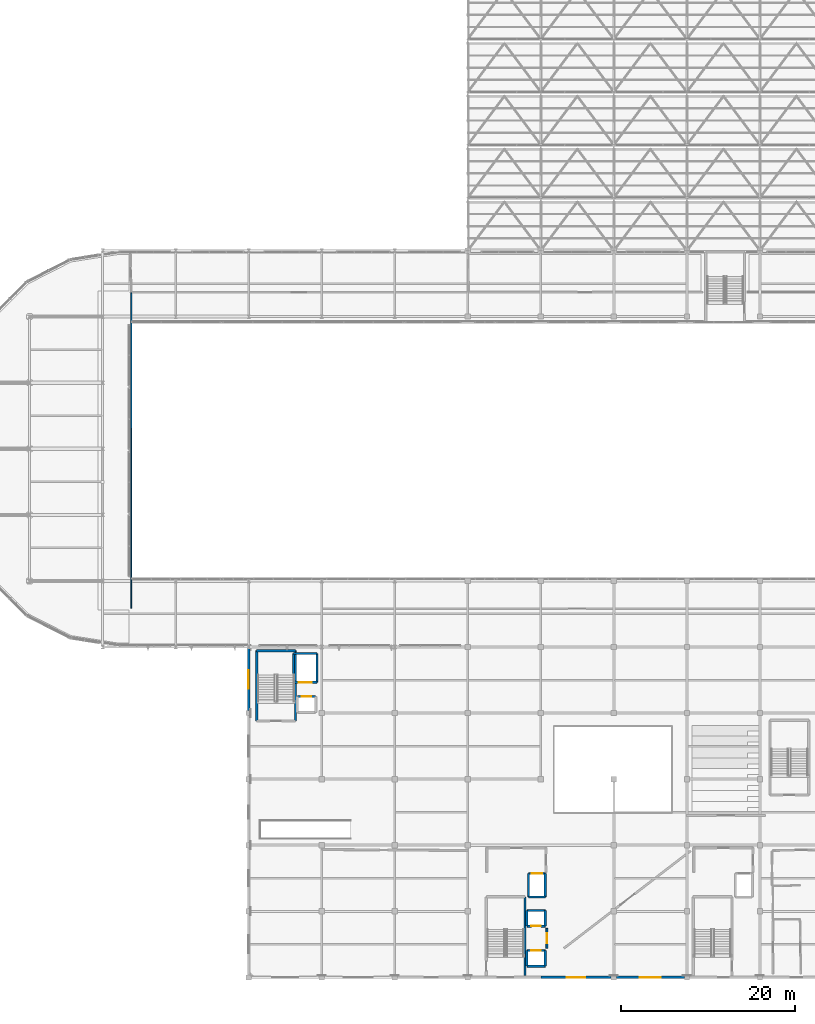
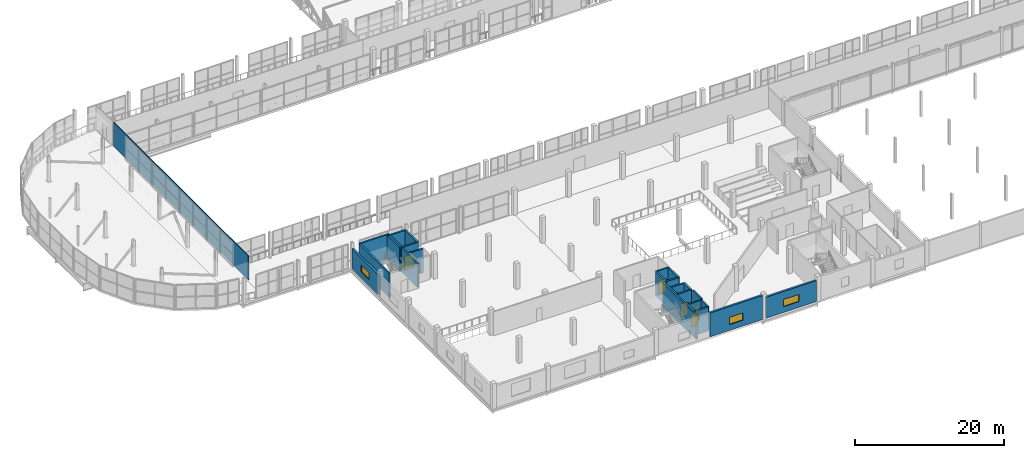
# One storey, part 193 of 217: 26 walls, 6 doors, 3 windows, 9 openings.
"""IFC4 building model written with IfcOpenShell, lengths in metres."""

from ifc_helpers import new_model, si_unit, direction, frame, frame_2d, origin, place, context, subcontext, project, spatial, rectangle, extrude, material, layer, layer_set, type_object, element, fill, save


model = new_model("IFC4")

# Units and contexts
model_context = context("Model", 3, precision=1e-05, world=origin(), true_north=direction((0.0, 1.0)))
body_context = subcontext(model_context, "Body", "Model", "MODEL_VIEW")
ifc_project = project(units=[si_unit("LENGTHUNIT", "METRE"), si_unit("AREAUNIT", "SQUARE_METRE"), si_unit("VOLUMEUNIT", "CUBIC_METRE"), si_unit("PLANEANGLEUNIT", "RADIAN"), si_unit("MASSUNIT", "GRAM", prefix="KILO")], contexts=[model_context])

# Site, building, storey
site_placement = place(None, origin())
site = spatial("IfcSite", under=ifc_project, at=site_placement, CompositionType="ELEMENT")
building_placement = place(site_placement, origin())
building = spatial("IfcBuilding", under=site, at=building_placement, Name="Zuvorla Pavilion Media Centre", CompositionType="ELEMENT")
storey_placement = place(building_placement, frame((0.0, 0.0, 9.60009765625)))
storey = spatial("IfcBuildingStorey", under=building, at=storey_placement, Name="L02", CompositionType="ELEMENT", Elevation=9.60009765625)

# Wall, opening, door
ifc_material_1 = material(Name="Acoustic masonry blockwork C32/40", Category="masonry")
ifc_layer_1 = layer(ifc_material_1, 0.219970703125)
ifc_layer_set_1 = layer_set([ifc_layer_1], Name="Acoustic masonry blockwork C32/40")
wall_type_1 = type_object("IfcWallType", Name="WL-CMP-220", PredefinedType="SOLIDWALL", material=ifc_layer_set_1)
wall_1_placement = place(storey_placement, frame((75.89990234375, 9.35009765625, 0.0), z_axis=(0.0, 0.0, 1.0), x_axis=(0.0, 1.0, 0.0)))
wall_1 = element("IfcWall", 1, at=wall_1_placement, inside=storey, type_object=wall_type_1, Name="L02 solid wall IW22 32", PredefinedType="SOLIDWALL", context=body_context, shape_type="SweptSolid", body=[
    extrude(rectangle(XDim=2.2998046875, YDim=0.219970703125, at=frame_2d((1.14990234375, 0.0))), origin(), (0.0, 0.0, 1.0), 3.929931640625),
])
opening_1_placement = place(wall_1_placement, frame((0.60009765625, 0.0, 0.0)))
opening_1 = element("IfcOpeningElement", 2, at=opening_1_placement, cuts=wall_1, Name="Opening FD05", PredefinedType="OPENING", context=body_context, shape_type="SweptSolid", body=[
    extrude(rectangle(XDim=1.10009765625, YDim=2.10009765625, at=frame_2d((0.550048828125, 1.050048828125))), frame((0.0, 0.119873046875, 0.0), z_axis=(0.0, -1.0, 0.0), x_axis=(1.0, 0.0, 0.0)), (0.0, 0.0, 1.0), 0.239990234375),
])
ifc_material_2 = material(Name="Acoustic timber fire door leaf in steel frame", Category="steel")
door_type_1 = type_object("IfcDoorType", Name="DR-INT-FD05", OperationType="NOTDEFINED", PredefinedType="DOOR", material=ifc_material_2)
door_1_placement = place(opening_1_placement, origin())
door_1 = element("IfcDoor", 3, at=door_1_placement, inside=storey, type_object=door_type_1, Name="Lift lobby 1 door FD05 16", OperationType="SINGLE_SWING_RIGHT", OverallHeight=2.10009765625, OverallWidth=1.10009765625, PredefinedType="DOOR", context=body_context, shape_type="SweptSolid", body=[
    extrude(rectangle(XDim=1.10009765625, YDim=2.10009765625, at=frame_2d((0.550048828125, 1.050048828125))), frame((0.0, 0.02490234375, 0.0), z_axis=(0.0, -1.0, 0.0), x_axis=(1.0, 0.0, 0.0)), (0.0, 0.0, 1.0), 0.050048828125),
])
fill(opening_1, door_1)

# Walls
ifc_material_3 = material(Name="Concrete C40/50", Category="concrete")
ifc_layer_2 = layer(ifc_material_3, 0.25)
ifc_layer_set_2 = layer_set([ifc_layer_2], Name="Concrete C40/50")
wall_type_2 = type_object("IfcWallType", Name="WL-COR-250", PredefinedType="SHEAR", material=ifc_layer_set_2)
wall_2_placement = place(storey_placement, frame((73.375, 6.22509765625, 0.0), z_axis=(0.0, 0.0, 1.0), x_axis=(0.0, 1.0, 0.0)))
element("IfcWall", 4, at=wall_2_placement, inside=storey, type_object=wall_type_2, Name="L02 shear wall CW25 27", PredefinedType="SHEAR", context=body_context, shape_type="SweptSolid", body=[
    extrude(rectangle(XDim=9.0498046875, YDim=0.25, at=frame_2d((4.52490234375, 0.0))), origin(), (0.0, 0.0, 1.0), 3.949951171875),
])
wall_3_placement = place(storey_placement, frame((73.590087890625, 7.2900390625, 0.0), z_axis=(0.0, 0.0, 1.0), x_axis=(1.0, 0.0, 0.0)))
element("IfcWall", 5, at=wall_3_placement, inside=storey, type_object=wall_type_2, Name="L02 shear wall CW25 73", PredefinedType="SHEAR", context=body_context, shape_type="SweptSolid", body=[
    extrude(rectangle(XDim=2.119873046875, YDim=0.25, at=frame_2d((1.06005859375, 0.0))), origin(), (0.0, 0.0, 1.0), 3.949951171875),
])

# Wall, opening, door
wall_4_placement = place(storey_placement, frame((73.590087890625, 9.110107421875, 0.0), z_axis=(0.0, 0.0, 1.0), x_axis=(1.0, 0.0, 0.0)))
wall_4 = element("IfcWall", 6, at=wall_4_placement, inside=storey, type_object=wall_type_2, Name="L02 shear wall CW25 74", PredefinedType="SHEAR", context=body_context, shape_type="SweptSolid", body=[
    extrude(rectangle(XDim=2.119873046875, YDim=0.25, at=frame_2d((1.06005859375, 0.0))), origin(), (0.0, 0.0, 1.0), 3.949951171875),
])
opening_2_placement = place(wall_4_placement, frame((0.510009765625, 0.0, 0.0)))
opening_2 = element("IfcOpeningElement", 7, at=opening_2_placement, cuts=wall_4, Name="Opening LD01", PredefinedType="OPENING", context=body_context, shape_type="SweptSolid", body=[
    extrude(rectangle(XDim=1.10009765625, YDim=2.14990234375, at=frame_2d((0.550048828125, 1.074951171875))), frame((0.0, 0.135009765625, 0.0), z_axis=(0.0, -1.0, 0.0), x_axis=(1.0, 0.0, 0.0)), (0.0, 0.0, 1.0), 0.27001953125),
])
ifc_material_4 = material(Name="Brushed stainless steel sliding lift landing door", Category="steel")
door_type_2 = type_object("IfcDoorType", Name="DR-LFT-LD01", OperationType="SLIDING_TO_LEFT", PredefinedType="DOOR", material=ifc_material_4)
door_2_placement = place(opening_2_placement, origin())
door_2 = element("IfcDoor", 8, at=door_2_placement, inside=storey, type_object=door_type_2, Name="Lift LF-01 landing door LD01 36", OperationType="SLIDING_TO_LEFT", OverallHeight=2.14990234375, OverallWidth=1.10009765625, PredefinedType="DOOR", context=body_context, shape_type="SweptSolid", body=[
    extrude(rectangle(XDim=1.10009765625, YDim=2.14990234375, at=frame_2d((0.550048828125, 1.074951171875))), frame((0.0, 0.02490234375, 0.0), z_axis=(0.0, -1.0, 0.0), x_axis=(1.0, 0.0, 0.0)), (0.0, 0.0, 1.0), 0.050048828125),
])
fill(opening_2, door_2)

# Walls
for number, where, z_axis, x_axis, name in (
    (9, (73.590087890625, 7.2900390625, 0.0), (0.0, 0.0, 1.0), (0.0, 1.0, 0.0), "L02 shear wall CW25 75"),
    (10, (75.7099609375, 7.2900390625, 0.0), (0.0, 0.0, 1.0), (0.0, 1.0, 0.0), "L02 shear wall CW25 76"),
):
    element("IfcWall", number, at=place(storey_placement, frame(where, z_axis=z_axis, x_axis=x_axis)), inside=storey, type_object=wall_type_2, Name=name, PredefinedType="SHEAR", context=body_context, shape_type="SweptSolid", body=[
        extrude(rectangle(XDim=1.820068359375, YDim=0.25, at=frame_2d((0.91015625, 0.0))), origin(), (0.0, 0.0, 1.0), 3.949951171875),
    ])

# Wall, opening, door
wall_5_placement = place(storey_placement, frame((73.590087890625, 11.889892578125, 0.0), z_axis=(0.0, 0.0, 1.0), x_axis=(1.0, 0.0, 0.0)))
wall_5 = element("IfcWall", 11, at=wall_5_placement, inside=storey, type_object=wall_type_2, Name="L02 shear wall CW25 105", PredefinedType="SHEAR", context=body_context, shape_type="SweptSolid", body=[
    extrude(rectangle(XDim=2.119873046875, YDim=0.25, at=frame_2d((1.06005859375, 0.0))), origin(), (0.0, 0.0, 1.0), 3.949951171875),
])
opening_3_placement = place(wall_5_placement, frame((0.510009765625, 0.0, 0.0)))
opening_3 = element("IfcOpeningElement", 12, at=opening_3_placement, cuts=wall_5, Name="Opening LD01", PredefinedType="OPENING", context=body_context, shape_type="SweptSolid", body=[
    extrude(rectangle(XDim=1.10009765625, YDim=2.14990234375, at=frame_2d((0.550048828125, 1.074951171875))), frame((0.0, 0.135009765625, 0.0), z_axis=(0.0, -1.0, 0.0), x_axis=(1.0, 0.0, 0.0)), (0.0, 0.0, 1.0), 0.27001953125),
])
door_3_placement = place(opening_3_placement, origin())
door_3 = element("IfcDoor", 13, at=door_3_placement, inside=storey, type_object=door_type_2, Name="Lift LF-02 landing door LD01 44", OperationType="SLIDING_TO_LEFT", OverallHeight=2.14990234375, OverallWidth=1.10009765625, PredefinedType="DOOR", context=body_context, shape_type="SweptSolid", body=[
    extrude(rectangle(XDim=1.10009765625, YDim=2.14990234375, at=frame_2d((0.550048828125, 1.074951171875))), frame((0.0, 0.02490234375, 0.0), z_axis=(0.0, -1.0, 0.0), x_axis=(1.0, 0.0, 0.0)), (0.0, 0.0, 1.0), 0.050048828125),
])
fill(opening_3, door_3)

# Walls
wall_6_placement = place(storey_placement, frame((73.590087890625, 13.7099609375, 0.0), z_axis=(0.0, 0.0, 1.0), x_axis=(1.0, 0.0, 0.0)))
element("IfcWall", 14, at=wall_6_placement, inside=storey, type_object=wall_type_2, Name="L02 shear wall CW25 106", PredefinedType="SHEAR", context=body_context, shape_type="SweptSolid", body=[
    extrude(rectangle(XDim=2.119873046875, YDim=0.25, at=frame_2d((1.06005859375, 0.0))), origin(), (0.0, 0.0, 1.0), 3.949951171875),
])
for number, where, z_axis, x_axis, name in (
    (15, (73.590087890625, 11.889892578125, 0.0), (0.0, 0.0, 1.0), (0.0, 1.0, 0.0), "L02 shear wall CW25 107"),
    (16, (75.7099609375, 11.889892578125, 0.0), (0.0, 0.0, 1.0), (0.0, 1.0, 0.0), "L02 shear wall CW25 108"),
):
    element("IfcWall", number, at=place(storey_placement, frame(where, z_axis=z_axis, x_axis=x_axis)), inside=storey, type_object=wall_type_2, Name=name, PredefinedType="SHEAR", context=body_context, shape_type="SweptSolid", body=[
        extrude(rectangle(XDim=1.820068359375, YDim=0.25, at=frame_2d((0.91015625, 0.0))), origin(), (0.0, 0.0, 1.0), 3.949951171875),
    ])
wall_7_placement = place(storey_placement, frame((73.7900390625, 15.239990234375, 0.0), z_axis=(0.0, 0.0, 1.0), x_axis=(1.0, 0.0, 0.0)))
element("IfcWall", 17, at=wall_7_placement, inside=storey, type_object=wall_type_2, Name="L02 shear wall CW25 137", PredefinedType="SHEAR", context=body_context, shape_type="SweptSolid", body=[
    extrude(rectangle(XDim=1.919921875, YDim=0.25, at=frame_2d((0.9599609375, 0.0))), origin(), (0.0, 0.0, 1.0), 3.949951171875),
])

# Wall, opening, door
wall_8_placement = place(storey_placement, frame((73.7900390625, 17.9599609375, 0.0), z_axis=(0.0, 0.0, 1.0), x_axis=(1.0, 0.0, 0.0)))
wall_8 = element("IfcWall", 18, at=wall_8_placement, inside=storey, type_object=wall_type_2, Name="L02 shear wall CW25 138", PredefinedType="SHEAR", context=body_context, shape_type="SweptSolid", body=[
    extrude(rectangle(XDim=1.919921875, YDim=0.25, at=frame_2d((0.9599609375, 0.0))), origin(), (0.0, 0.0, 1.0), 3.949951171875),
])
opening_4_placement = place(wall_8_placement, frame((0.360107421875, 0.0, 0.0)))
opening_4 = element("IfcOpeningElement", 19, at=opening_4_placement, cuts=wall_8, Name="Opening LD02", PredefinedType="OPENING", context=body_context, shape_type="SweptSolid", body=[
    extrude(rectangle(XDim=1.199951171875, YDim=2.199951171875, at=frame_2d((0.60009765625, 1.10009765625))), frame((0.0, 0.135009765625, 0.0), z_axis=(0.0, -1.0, 0.0), x_axis=(1.0, 0.0, 0.0)), (0.0, 0.0, 1.0), 0.27001953125),
])
door_type_3 = type_object("IfcDoorType", Name="DR-LFT-LD02", OperationType="SLIDING_TO_LEFT", PredefinedType="DOOR", material=ifc_material_4)
door_4_placement = place(opening_4_placement, origin())
door_4 = element("IfcDoor", 20, at=door_4_placement, inside=storey, type_object=door_type_3, Name="Lift LF-03 landing door LD02 52", OperationType="SLIDING_TO_LEFT", OverallHeight=2.199951171875, OverallWidth=1.199951171875, PredefinedType="DOOR", context=body_context, shape_type="SweptSolid", body=[
    extrude(rectangle(XDim=1.199951171875, YDim=2.199951171875, at=frame_2d((0.60009765625, 1.10009765625))), frame((0.0, 0.02490234375, 0.0), z_axis=(0.0, -1.0, 0.0), x_axis=(1.0, 0.0, 0.0)), (0.0, 0.0, 1.0), 0.050048828125),
])
fill(opening_4, door_4)

# Walls
for number, where, z_axis, x_axis, name in (
    (21, (73.7900390625, 15.239990234375, 0.0), (0.0, 0.0, 1.0), (0.0, 1.0, 0.0), "L02 shear wall CW25 139"),
    (22, (75.7099609375, 15.239990234375, 0.0), (0.0, 0.0, 1.0), (0.0, 1.0, 0.0), "L02 shear wall CW25 140"),
):
    element("IfcWall", number, at=place(storey_placement, frame(where, z_axis=z_axis, x_axis=x_axis)), inside=storey, type_object=wall_type_2, Name=name, PredefinedType="SHEAR", context=body_context, shape_type="SweptSolid", body=[
        extrude(rectangle(XDim=2.719970703125, YDim=0.25, at=frame_2d((1.35986328125, 0.0))), origin(), (0.0, 0.0, 1.0), 3.949951171875),
    ])
for number, where, z_axis, x_axis, name in (
    (23, (42.52490234375, 35.47509765625, 0.0), (0.0, 0.0, 1.0), (0.0, 1.0, 0.0), "L02 shear wall CW25 249"),
    (24, (46.97509765625, 35.47509765625, 0.0), (0.0, 0.0, 1.0), (0.0, 1.0, 0.0), "L02 shear wall CW25 250"),
):
    element("IfcWall", number, at=place(storey_placement, frame(where, z_axis=z_axis, x_axis=x_axis)), inside=storey, type_object=wall_type_2, Name=name, PredefinedType="SHEAR", context=body_context, shape_type="SweptSolid", body=[
        extrude(rectangle(XDim=8.099853515625, YDim=0.25, at=frame_2d((4.0498046875, 0.0))), origin(), (0.0, 0.0, 1.0), 3.949951171875),
    ])
wall_9_placement = place(storey_placement, frame((42.52490234375, 43.574951171875, 0.0), z_axis=(0.0, 0.0, 1.0), x_axis=(1.0, 0.0, 0.0)))
element("IfcWall", 25, at=wall_9_placement, inside=storey, type_object=wall_type_2, Name="L02 shear wall CW25 251", PredefinedType="SHEAR", context=body_context, shape_type="SweptSolid", body=[
    extrude(rectangle(XDim=4.4501953125, YDim=0.25, at=frame_2d((2.22509765625, 0.0))), origin(), (0.0, 0.0, 1.0), 3.949951171875),
])

# Wall, opening, door
wall_10_placement = place(storey_placement, frame((47.18994140625, 38.31005859375, 0.0), z_axis=(0.0, 0.0, 1.0), x_axis=(1.0, 0.0, 0.0)))
wall_10 = element("IfcWall", 26, at=wall_10_placement, inside=storey, type_object=wall_type_2, Name="L02 shear wall CW25 274", PredefinedType="SHEAR", context=body_context, shape_type="SweptSolid", body=[
    extrude(rectangle(XDim=2.1201171875, YDim=0.25, at=frame_2d((1.06005859375, 0.0))), origin(), (0.0, 0.0, 1.0), 3.949951171875),
])
opening_5_placement = place(wall_10_placement, frame((0.510009765625, 0.0, 0.0)))
opening_5 = element("IfcOpeningElement", 27, at=opening_5_placement, cuts=wall_10, Name="Opening LD01", PredefinedType="OPENING", context=body_context, shape_type="SweptSolid", body=[
    extrude(rectangle(XDim=1.10009765625, YDim=2.14990234375, at=frame_2d((0.550048828125, 1.074951171875))), frame((0.0, 0.135009765625, 0.0), z_axis=(0.0, -1.0, 0.0), x_axis=(1.0, 0.0, 0.0)), (0.0, 0.0, 1.0), 0.27001953125),
])
door_5_placement = place(opening_5_placement, origin())
door_5 = element("IfcDoor", 28, at=door_5_placement, inside=storey, type_object=door_type_2, Name="Lift LF-05 landing door LD01 98", OperationType="SLIDING_TO_LEFT", OverallHeight=2.14990234375, OverallWidth=1.10009765625, PredefinedType="DOOR", context=body_context, shape_type="SweptSolid", body=[
    extrude(rectangle(XDim=1.10009765625, YDim=2.14990234375, at=frame_2d((0.550048828125, 1.074951171875))), frame((0.0, 0.02490234375, 0.0), z_axis=(0.0, -1.0, 0.0), x_axis=(1.0, 0.0, 0.0)), (0.0, 0.0, 1.0), 0.050048828125),
])
fill(opening_5, door_5)

wall_11_placement = place(storey_placement, frame((46.739990234375, 39.93994140625, 0.0), z_axis=(0.0, 0.0, 1.0), x_axis=(1.0, 0.0, 0.0)))
wall_11 = element("IfcWall", 29, at=wall_11_placement, inside=storey, type_object=wall_type_2, Name="L02 shear wall CW25 293", PredefinedType="SHEAR", context=body_context, shape_type="SweptSolid", body=[
    extrude(rectangle(XDim=2.719970703125, YDim=0.25, at=frame_2d((1.35986328125, 0.0))), origin(), (0.0, 0.0, 1.0), 3.949951171875),
])
opening_6_placement = place(wall_11_placement, frame((0.610107421875, 0.0, 0.0)))
opening_6 = element("IfcOpeningElement", 30, at=opening_6_placement, cuts=wall_11, Name="Opening LD03", PredefinedType="OPENING", context=body_context, shape_type="SweptSolid", body=[
    extrude(rectangle(XDim=1.5, YDim=2.300048828125, at=frame_2d((0.75, 1.14990234375))), frame((0.0, 0.135009765625, 0.0), z_axis=(0.0, -1.0, 0.0), x_axis=(1.0, 0.0, 0.0)), (0.0, 0.0, 1.0), 0.27001953125),
])
door_type_4 = type_object("IfcDoorType", Name="DR-LFT-LD03", OperationType="SLIDING_TO_LEFT", PredefinedType="DOOR", material=ifc_material_4)
door_6_placement = place(opening_6_placement, origin())
door_6 = element("IfcDoor", 31, at=door_6_placement, inside=storey, type_object=door_type_4, Name="Lift LF-06 landing door LD03 103", OperationType="SLIDING_TO_LEFT", OverallHeight=2.300048828125, OverallWidth=1.5, PredefinedType="DOOR", context=body_context, shape_type="SweptSolid", body=[
    extrude(rectangle(XDim=1.5, YDim=2.300048828125, at=frame_2d((0.75, 1.14990234375))), frame((0.0, 0.02490234375, 0.0), z_axis=(0.0, -1.0, 0.0), x_axis=(1.0, 0.0, 0.0)), (0.0, 0.0, 1.0), 0.050048828125),
])
fill(opening_6, door_6)

# Walls
wall_12_placement = place(storey_placement, frame((46.739990234375, 43.260009765625, 0.0), z_axis=(0.0, 0.0, 1.0), x_axis=(1.0, 0.0, 0.0)))
element("IfcWall", 32, at=wall_12_placement, inside=storey, type_object=wall_type_2, Name="L02 shear wall CW25 294", PredefinedType="SHEAR", context=body_context, shape_type="SweptSolid", body=[
    extrude(rectangle(XDim=2.719970703125, YDim=0.25, at=frame_2d((1.35986328125, 0.0))), origin(), (0.0, 0.0, 1.0), 3.949951171875),
])
for number, where, z_axis, x_axis, name in (
    (33, (46.739990234375, 39.93994140625, 0.0), (0.0, 0.0, 1.0), (0.0, 1.0, 0.0), "L02 shear wall CW25 295"),
    (34, (49.4599609375, 39.93994140625, 0.0), (0.0, 0.0, 1.0), (0.0, 1.0, 0.0), "L02 shear wall CW25 296"),
):
    element("IfcWall", number, at=place(storey_placement, frame(where, z_axis=z_axis, x_axis=x_axis)), inside=storey, type_object=wall_type_2, Name=name, PredefinedType="SHEAR", context=body_context, shape_type="SweptSolid", body=[
        extrude(rectangle(XDim=3.320068359375, YDim=0.25, at=frame_2d((1.66015625, 0.0))), origin(), (0.0, 0.0, 1.0), 3.949951171875),
    ])

# Wall, opening, window
ifc_material_5 = material(Name="White rendered concrete C32/40", Category="concrete")
ifc_layer_3 = layer(ifc_material_5, 0.300048828125)
ifc_layer_set_3 = layer_set([ifc_layer_3], Name="White rendered concrete C32/40")
wall_type_3 = type_object("IfcWallType", Name="WL-EXT-300", PredefinedType="SOLIDWALL", material=ifc_layer_set_3)
wall_13_placement = place(storey_placement, frame((41.60009765625, 43.81591796875, 0.0), z_axis=(0.0, 0.0, 1.0), x_axis=(0.0, -1.0, 0.0)))
wall_13 = element("IfcWall", 35, at=wall_13_placement, inside=storey, type_object=wall_type_3, Name="L02 exterior solid wall EW03 202", PredefinedType="SOLIDWALL", context=body_context, shape_type="SweptSolid", body=[
    extrude(rectangle(XDim=7.115966796875, YDim=0.300048828125, at=frame_2d((3.55810546875, 0.0))), origin(), (0.0, 0.0, 1.0), 3.3046875),
])
opening_7_placement = place(wall_13_placement, frame((2.5078125, 0.0, 0.949951171875)))
opening_7 = element("IfcOpeningElement", 36, at=opening_7_placement, cuts=wall_13, Name="Opening WN27", PredefinedType="OPENING", context=body_context, shape_type="SweptSolid", body=[
    extrude(rectangle(XDim=2.10009765625, YDim=1.199951171875, at=frame_2d((1.050048828125, 0.60009765625))), frame((0.0, 0.159912109375, 0.0), z_axis=(0.0, -1.0, 0.0), x_axis=(1.0, 0.0, 0.0)), (0.0, 0.0, 1.0), 0.320068359375),
])
ifc_material_6 = material(Name="Anodised aluminium frame with solar double glazing", Category="aluminium")
window_type_1 = type_object("IfcWindowType", Name="WIN-WN27", PartitioningType="DOUBLE_PANEL_VERTICAL", PredefinedType="WINDOW", material=ifc_material_6)
window_1_placement = place(opening_7_placement, origin())
window_1 = element("IfcWindow", 37, at=window_1_placement, inside=storey, type_object=window_type_1, Name="L02 window WN27 74", OverallHeight=1.199951171875, OverallWidth=2.10009765625, PartitioningType="DOUBLE_PANEL_VERTICAL", PredefinedType="WINDOW", context=body_context, shape_type="SweptSolid", body=[
    extrude(rectangle(XDim=2.10009765625, YDim=1.199951171875, at=frame_2d((1.050048828125, 0.60009765625))), frame((0.0, 0.030029296875, 0.0), z_axis=(0.0, -1.0, 0.0), x_axis=(1.0, 0.0, 0.0)), (0.0, 0.0, 1.0), 0.06005859375),
])
fill(opening_7, window_1)

wall_14_placement = place(storey_placement, frame((75.199951171875, 6.0, 0.0), z_axis=(0.0, 0.0, 1.0), x_axis=(1.0, 0.0, 0.0)))
wall_14 = element("IfcWall", 38, at=wall_14_placement, inside=storey, type_object=wall_type_3, Name="L02 exterior solid wall EW03 211", PredefinedType="SOLIDWALL", context=body_context, shape_type="SweptSolid", body=[
    extrude(rectangle(XDim=8.10009765625, YDim=0.300048828125, at=frame_2d((4.050048828125, 0.0))), origin(), (0.0, 0.0, 1.0), 3.929931640625),
])
opening_8_placement = place(wall_14_placement, frame((3.0, 0.0, 0.949951171875)))
opening_8 = element("IfcOpeningElement", 39, at=opening_8_placement, cuts=wall_14, Name="Opening WN27", PredefinedType="OPENING", context=body_context, shape_type="SweptSolid", body=[
    extrude(rectangle(XDim=2.10009765625, YDim=1.199951171875, at=frame_2d((1.050048828125, 0.60009765625))), frame((0.0, 0.159912109375, 0.0), z_axis=(0.0, -1.0, 0.0), x_axis=(1.0, 0.0, 0.0)), (0.0, 0.0, 1.0), 0.320068359375),
])
window_2_placement = place(opening_8_placement, origin())
window_2 = element("IfcWindow", 40, at=window_2_placement, inside=storey, type_object=window_type_1, Name="L02 window WN27 83", OverallHeight=1.199951171875, OverallWidth=2.10009765625, PartitioningType="DOUBLE_PANEL_VERTICAL", PredefinedType="WINDOW", context=body_context, shape_type="SweptSolid", body=[
    extrude(rectangle(XDim=2.10009765625, YDim=1.199951171875, at=frame_2d((1.050048828125, 0.60009765625))), frame((0.0, 0.030029296875, 0.0), z_axis=(0.0, -1.0, 0.0), x_axis=(1.0, 0.0, 0.0)), (0.0, 0.0, 1.0), 0.06005859375),
])
fill(opening_8, window_2)

wall_15_placement = place(storey_placement, frame((83.89990234375, 6.0, 0.0), z_axis=(0.0, 0.0, 1.0), x_axis=(1.0, 0.0, 0.0)))
wall_15 = element("IfcWall", 41, at=wall_15_placement, inside=storey, type_object=wall_type_3, Name="L02 exterior solid wall EW03 212", PredefinedType="SOLIDWALL", context=body_context, shape_type="SweptSolid", body=[
    extrude(rectangle(XDim=7.800048828125, YDim=0.300048828125, at=frame_2d((3.89990234375, 0.0))), origin(), (0.0, 0.0, 1.0), 3.447021484375),
])
opening_9_placement = place(wall_15_placement, frame((2.699951171875, 0.0, 0.949951171875)))
opening_9 = element("IfcOpeningElement", 42, at=opening_9_placement, cuts=wall_15, Name="Opening WN28", PredefinedType="OPENING", context=body_context, shape_type="SweptSolid", body=[
    extrude(rectangle(XDim=2.39990234375, YDim=1.199951171875, at=frame_2d((1.199951171875, 0.60009765625))), frame((0.0, 0.159912109375, 0.0), z_axis=(0.0, -1.0, 0.0), x_axis=(1.0, 0.0, 0.0)), (0.0, 0.0, 1.0), 0.320068359375),
])
window_type_2 = type_object("IfcWindowType", Name="WIN-WN28", PartitioningType="DOUBLE_PANEL_VERTICAL", PredefinedType="WINDOW", material=ifc_material_6)
window_3_placement = place(opening_9_placement, origin())
window_3 = element("IfcWindow", 43, at=window_3_placement, inside=storey, type_object=window_type_2, Name="L02 window WN28 84", OverallHeight=1.199951171875, OverallWidth=2.39990234375, PartitioningType="DOUBLE_PANEL_VERTICAL", PredefinedType="WINDOW", context=body_context, shape_type="SweptSolid", body=[
    extrude(rectangle(XDim=2.39990234375, YDim=1.199951171875, at=frame_2d((1.199951171875, 0.60009765625))), frame((0.0, 0.030029296875, 0.0), z_axis=(0.0, -1.0, 0.0), x_axis=(1.0, 0.0, 0.0)), (0.0, 0.0, 1.0), 0.06005859375),
])
fill(opening_9, window_3)

# Wall
ifc_material_7 = material(Name="Lightweight gypsum partition")
ifc_layer_4 = layer(ifc_material_7, 0.1201171875)
ifc_layer_set_4 = layer_set([ifc_layer_4], Name="Lightweight gypsum partition")
wall_type_4 = type_object("IfcWallType", Name="WL-PRT-120", PredefinedType="PARTITIONING", material=ifc_layer_set_4)
wall_16_placement = place(storey_placement, frame((28.099609375, 48.47998046875, 0.0), z_axis=(0.0, 0.0, 1.0), x_axis=(-0.000276207725, 0.999999961855, 0.0)))
element("IfcWall", 44, at=wall_16_placement, inside=storey, type_object=wall_type_4, Name="L02 partition PT12 508", PredefinedType="PARTITIONING", context=body_context, shape_type="SweptSolid", body=[
    extrude(rectangle(XDim=36.239990234375, YDim=0.1201171875, at=frame_2d((18.1201171875, 0.0))), origin(), (0.0, 0.0, 1.0), 3.929931640625),
])

save(model, "model.ifc")
